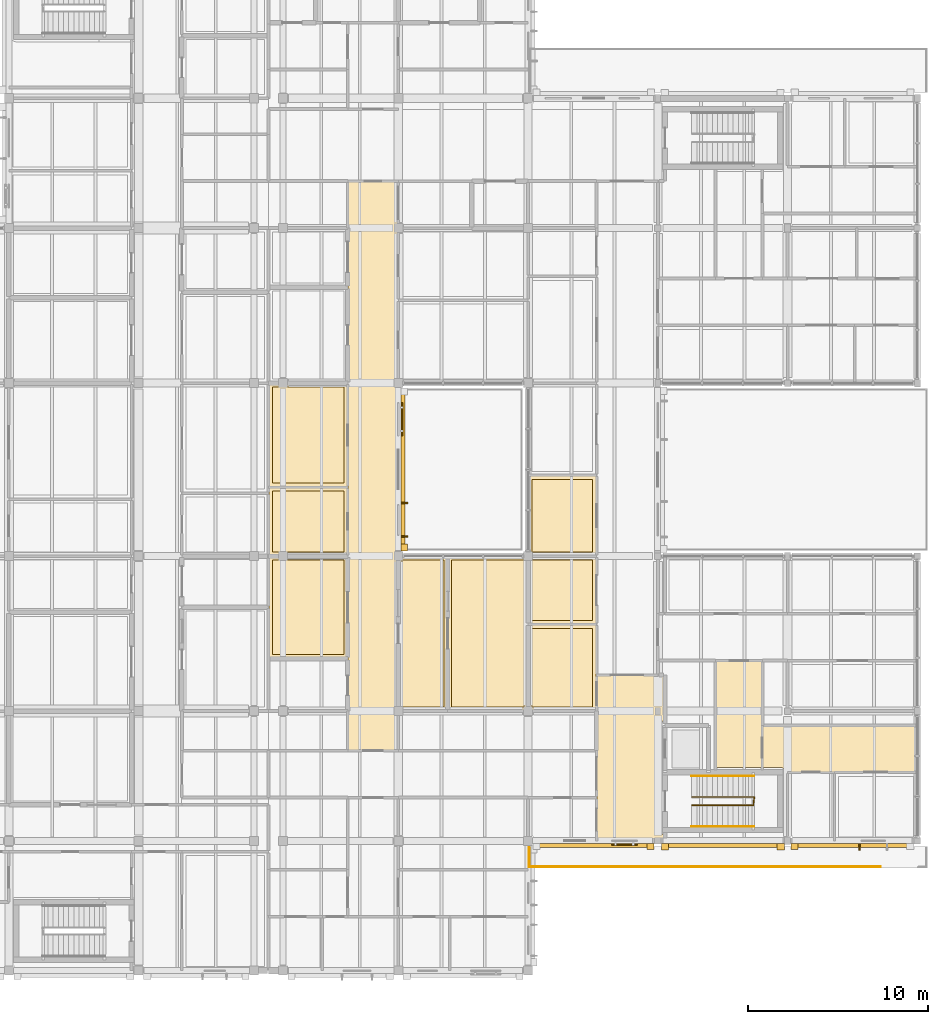
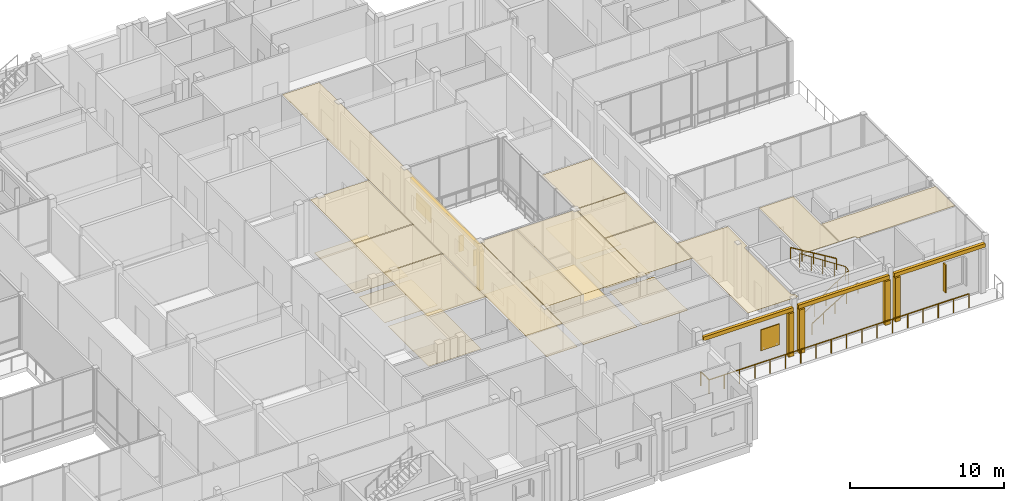
# One storey, part 143 of 146: 29 coverings, 5 shading devices, 4 railings.
"""IFC4 building model written with IfcOpenShell, lengths in metres."""

from ifc_helpers import new_model, si_unit, direction, frame, origin, origin_2d, place, context, subcontext, project, spatial, polyline, rectangle, circle, outline, extrude, material, layer, layer_set, type_object, element, save


model = new_model("IFC4")

# Units and contexts
model_context = context("Model", 3, precision=1e-05, world=origin(), true_north=direction((0.0, 1.0)))
body_context = subcontext(model_context, "Body", "Model", "MODEL_VIEW")
ifc_project = project(units=[si_unit("LENGTHUNIT", "METRE"), si_unit("AREAUNIT", "SQUARE_METRE"), si_unit("VOLUMEUNIT", "CUBIC_METRE"), si_unit("PLANEANGLEUNIT", "RADIAN"), si_unit("MASSUNIT", "GRAM", prefix="KILO")], contexts=[model_context])

# Site, building, storey
site_placement = place(None, origin())
site = spatial("IfcSite", under=ifc_project, at=site_placement, CompositionType="ELEMENT")
building_placement = place(site_placement, origin())
building = spatial("IfcBuilding", under=site, at=building_placement, Name="Hawrajan Terrace Health Centre", CompositionType="ELEMENT")
storey_placement = place(building_placement, frame((0.0, 0.0, 4.5)))
storey = spatial("IfcBuildingStorey", under=building, at=storey_placement, Name="L01", CompositionType="ELEMENT", Elevation=4.5)

# Coverings
ifc_material_1 = material(Name="Precast concrete C40/50", Category="concrete")
ifc_layer_1 = layer(ifc_material_1, 0.219970703125)
ifc_layer_set_1 = layer_set([ifc_layer_1], Name="Precast concrete C40/50")
covering_type_1 = type_object("IfcCoveringType", Name="ArtDecoCorniceBand", PredefinedType="CLADDING", material=ifc_layer_set_1)
covering_1_placement = place(storey_placement, frame((136.8701171875, 32.0, 3.2099609375), z_axis=(0.0, 0.0, 1.0), x_axis=(0.0, 1.0, 0.0)))
element("IfcCovering", 1, at=covering_1_placement, inside=storey, type_object=covering_type_1, Name="Art Deco limestone cornice band CRN-L01-0091", PredefinedType="CLADDING", context=body_context, shape_type="SweptSolid", body=[
    extrude(rectangle(XDim=9.06005859375, YDim=0.219970703125, at=origin_2d()), origin(), (0.0, 0.0, 1.0), 0.300048828125),
])
covering_2_placement = place(storey_placement, frame((147.43505859375, 11.139892578125, 3.4501953125), z_axis=(0.0, 0.0, 1.0), x_axis=(1.0, 0.0, 0.0)))
element("IfcCovering", 2, at=covering_2_placement, inside=storey, type_object=covering_type_1, Name="Art Deco limestone cornice band CRN-L01-0097", PredefinedType="CLADDING", context=body_context, shape_type="SweptSolid", body=[
    extrude(rectangle(XDim=6.72998046875, YDim=0.219970703125, at=origin_2d()), origin(), (0.0, 0.0, 1.0), 0.300048828125),
])
for number, where, z_axis, x_axis, name in (
    (3, (154.610107421875, 11.1298828125, 3.48974609375), (0.0, 0.0, 1.0), (1.0, 0.0, 0.0), "Art Deco limestone cornice band CRN-L01-0100"),
    (4, (161.7900390625, 11.139892578125, 3.48974609375), (0.0, 0.0, 1.0), (1.0, 0.0, 0.0), "Art Deco limestone cornice band CRN-L01-0102"),
):
    element("IfcCovering", number, at=place(storey_placement, frame(where, z_axis=z_axis, x_axis=x_axis)), inside=storey, type_object=covering_type_1, Name=name, PredefinedType="CLADDING", context=body_context, shape_type="SweptSolid", body=[
        extrude(rectangle(XDim=6.820068359375, YDim=0.219970703125, at=origin_2d()), origin(), (0.0, 0.0, 1.0), 0.300048828125),
    ])
ifc_layer_2 = layer(ifc_material_1, 0.340087890625)
ifc_layer_set_2 = layer_set([ifc_layer_2], Name="Precast concrete C40/50")
covering_type_2 = type_object("IfcCoveringType", Name="ArtDecoStonePilaster", PredefinedType="CLADDING", material=ifc_layer_set_2)
covering_3_placement = place(storey_placement, frame((136.929931640625, 27.669921875, 0.0), z_axis=(0.0, 0.0, 1.0), x_axis=(0.0, 1.0, 0.0)))
element("IfcCovering", 5, at=covering_3_placement, inside=storey, type_object=covering_type_2, Name="Art Deco fluted limestone pilaster FPIL-L01-0160", PredefinedType="CLADDING", context=body_context, shape_type="SweptSolid", body=[
    extrude(rectangle(XDim=0.39990234375, YDim=0.340087890625, at=origin_2d()), origin(), (0.0, 0.0, 1.0), 3.199951171875),
])
covering_4_placement = place(storey_placement, frame((150.60009765625, 11.080078125, 0.0), z_axis=(0.0, 0.0, 1.0), x_axis=(1.0, 0.0, 0.0)))
element("IfcCovering", 6, at=covering_4_placement, inside=storey, type_object=covering_type_2, Name="Art Deco fluted limestone pilaster FPIL-L01-0173", PredefinedType="CLADDING", context=body_context, shape_type="SweptSolid", body=[
    extrude(rectangle(XDim=0.39990234375, YDim=0.340087890625, at=origin_2d()), origin(), (0.0, 0.0, 1.0), 3.43994140625),
])
for number, where, z_axis, x_axis, name in (
    (7, (151.39990234375, 11.070068359375, 0.0), (0.0, 0.0, 1.0), (1.0, 0.0, 0.0), "Art Deco fluted limestone pilaster FPIL-L01-0178"),
    (8, (157.820068359375, 11.070068359375, 0.0), (0.0, 0.0, 1.0), (1.0, 0.0, 0.0), "Art Deco fluted limestone pilaster FPIL-L01-0179"),
    (9, (158.580078125, 11.080078125, 0.0), (0.0, 0.0, 1.0), (1.0, 0.0, 0.0), "Art Deco fluted limestone pilaster FPIL-L01-0182"),
):
    element("IfcCovering", number, at=place(storey_placement, frame(where, z_axis=z_axis, x_axis=x_axis)), inside=storey, type_object=covering_type_2, Name=name, PredefinedType="CLADDING", context=body_context, shape_type="SweptSolid", body=[
        extrude(rectangle(XDim=0.39990234375, YDim=0.340087890625, at=origin_2d()), origin(), (0.0, 0.0, 1.0), 3.47998046875),
    ])
ifc_material_2 = material(Name="Hygienic mineral-fibre acoustic tile ceiling")
ifc_layer_3 = layer(ifc_material_2, 0.02490234375)
ifc_layer_set_3 = layer_set([ifc_layer_3], Name="Hygienic mineral-fibre acoustic tile ceiling")
covering_type_3 = type_object("IfcCoveringType", Name="ClinicalAcousticCeiling_25", PredefinedType="CEILING", material=ifc_layer_set_3)
covering_5_placement = place(storey_placement, frame((0.0, 0.0, 4.155029296875)))
element("IfcCovering", 10, at=covering_5_placement, inside=storey, type_object=covering_type_3, Name="Suspended ceiling L01-025", PredefinedType="CEILING", context=body_context, shape_type="SweptSolid", body=[
    extrude(outline(polyline([(151.3798828125, 11.419921875), (147.6201171875, 11.419921875), (147.6201171875, 20.580078125), (151.3798828125, 20.580078125), (151.3798828125, 18.069091796875), (151.37451171875, 18.06884765625), (151.37255859375, 18.068603515625), (151.348388671875, 18.06494140625), (151.346435546875, 18.064697265625), (151.322509765625, 18.05859375), (151.32080078125, 18.05810546875), (151.297607421875, 18.0498046875), (151.2958984375, 18.049072265625), (151.273681640625, 18.03857421875), (151.27197265625, 18.03759765625), (151.250732421875, 18.02490234375), (151.249267578125, 18.02392578125), (151.2294921875, 18.00927734375), (151.22802734375, 18.008056640625), (151.209716796875, 17.99169921875), (151.20849609375, 17.990234375), (151.19189453125, 17.971923828125), (151.190673828125, 17.970458984375), (151.176025390625, 17.95068359375), (151.175048828125, 17.94921875), (151.162353515625, 17.927978515625), (151.161376953125, 17.926513671875), (151.15087890625, 17.904296875), (151.150146484375, 17.90234375), (151.141845703125, 17.87939453125), (151.141357421875, 17.87744140625), (151.135498046875, 17.853515625), (151.135009765625, 17.851806640625), (151.13134765625, 17.827392578125), (151.131103515625, 17.825439453125), (151.1298828125, 17.801025390625), (151.1298828125, 17.800048828125), (151.1298828125, 12.0), (151.1298828125, 11.9990234375), (151.131103515625, 11.974609375), (151.13134765625, 11.97265625), (151.135009765625, 11.9482421875), (151.135498046875, 11.9462890625), (151.141357421875, 11.922607421875), (151.141845703125, 11.920654296875), (151.150146484375, 11.897705078125), (151.15087890625, 11.895751953125), (151.161376953125, 11.87353515625), (151.162353515625, 11.871826171875), (151.175048828125, 11.850830078125), (151.176025390625, 11.84912109375), (151.190673828125, 11.82958984375), (151.19189453125, 11.827880859375), (151.20849609375, 11.809814453125), (151.209716796875, 11.808349609375), (151.22802734375, 11.7919921875), (151.2294921875, 11.790771484375), (151.249267578125, 11.776123046875), (151.250732421875, 11.77490234375), (151.27197265625, 11.762451171875), (151.273681640625, 11.761474609375), (151.2958984375, 11.7509765625), (151.297607421875, 11.750244140625), (151.32080078125, 11.741943359375), (151.322509765625, 11.741455078125), (151.346435546875, 11.7353515625), (151.348388671875, 11.735107421875), (151.37255859375, 11.7314453125), (151.37451171875, 11.731201171875), (151.3798828125, 11.73095703125), (151.3798828125, 11.419921875)])), origin(), (0.0, 0.0, 1.0), 0.02490234375),
])
covering_6_placement = place(storey_placement, frame((0.0, 0.0, 4.155029296875)))
element("IfcCovering", 11, at=covering_6_placement, inside=storey, type_object=covering_type_3, Name="Suspended ceiling L01-042", PredefinedType="CEILING", context=body_context, shape_type="SweptSolid", body=[
    extrude(outline(polyline([(154.219970703125, 21.3798828125), (156.780029296875, 21.3798828125), (156.780029296875, 15.469970703125), (154.219970703125, 15.469970703125), (154.219970703125, 21.3798828125)])), origin(), (0.0, 0.0, 1.0), 0.02490234375),
])
covering_7_placement = place(storey_placement, frame((0.0, 0.0, 4.155029296875)))
element("IfcCovering", 12, at=covering_7_placement, inside=storey, type_object=covering_type_3, Name="Suspended ceiling L01-043", PredefinedType="CEILING", context=body_context, shape_type="SweptSolid", body=[
    extrude(outline(polyline([(156.820068359375, 17.780029296875), (165.3798828125, 17.780029296875), (165.3798828125, 15.219970703125), (158.069091796875, 15.219970703125), (158.06884765625, 15.2255859375), (158.068603515625, 15.227294921875), (158.06494140625, 15.251708984375), (158.064697265625, 15.253662109375), (158.05859375, 15.27734375), (158.05810546875, 15.279296875), (158.0498046875, 15.302490234375), (158.049072265625, 15.30419921875), (158.03857421875, 15.326416015625), (158.03759765625, 15.328125), (158.02490234375, 15.34912109375), (158.02392578125, 15.350830078125), (158.00927734375, 15.37060546875), (158.008056640625, 15.3720703125), (157.99169921875, 15.39013671875), (157.990234375, 15.3916015625), (157.971923828125, 15.408203125), (157.970458984375, 15.4091796875), (157.95068359375, 15.423828125), (157.94921875, 15.425048828125), (157.927978515625, 15.4375), (157.926513671875, 15.438720703125), (157.904296875, 15.448974609375), (157.90234375, 15.44970703125), (157.87939453125, 15.4580078125), (157.87744140625, 15.45849609375), (157.853515625, 15.464599609375), (157.851806640625, 15.465087890625), (157.827392578125, 15.468505859375), (157.825439453125, 15.46875), (157.801025390625, 15.469970703125), (157.800048828125, 15.469970703125), (156.820068359375, 15.469970703125), (156.820068359375, 17.780029296875)])), origin(), (0.0, 0.0, 1.0), 0.02490234375),
])
covering_8_placement = place(storey_placement, frame((0.0, 0.0, 4.155029296875)))
element("IfcCovering", 13, at=covering_8_placement, inside=storey, type_object=covering_type_3, Name="Suspended ceiling L01-050", PredefinedType="CEILING", context=body_context, shape_type="SweptSolid", body=[
    extrude(outline(polyline([(133.820068359375, 47.97998046875), (136.580078125, 47.97998046875), (136.580078125, 16.419921875), (133.820068359375, 16.419921875), (133.820068359375, 47.97998046875)])), origin(), (0.0, 0.0, 1.0), 0.02490234375),
])
covering_9_placement = place(storey_placement, frame((0.0, 0.0, 4.155029296875)))
element("IfcCovering", 14, at=covering_9_placement, inside=storey, type_object=covering_type_3, Name="Suspended ceiling L01-162", PredefinedType="CEILING", context=body_context, shape_type="SweptSolid", body=[
    extrude(outline(polyline([(129.425048828125, 27.179931640625), (133.780029296875, 27.179931640625), (133.780029296875, 21.52685546875), (129.425048828125, 21.52685546875), (129.425048828125, 27.179931640625)])), origin(), (0.0, 0.0, 1.0), 0.02490234375),
])
covering_10_placement = place(storey_placement, frame((0.0, 0.0, 4.155029296875)))
element("IfcCovering", 15, at=covering_10_placement, inside=storey, type_object=covering_type_3, Name="Suspended ceiling L01-163", PredefinedType="CEILING", context=body_context, shape_type="SweptSolid", body=[
    extrude(outline(polyline([(129.425048828125, 31.000732421875), (133.780029296875, 31.000732421875), (133.780029296875, 27.219970703125), (129.425048828125, 27.219970703125), (129.425048828125, 31.000732421875)])), origin(), (0.0, 0.0, 1.0), 0.02490234375),
])
covering_11_placement = place(storey_placement, frame((0.0, 0.0, 4.155029296875)))
element("IfcCovering", 16, at=covering_11_placement, inside=storey, type_object=covering_type_3, Name="Suspended ceiling L01-164", PredefinedType="CEILING", context=body_context, shape_type="SweptSolid", body=[
    extrude(outline(polyline([(129.425048828125, 36.780029296875), (133.780029296875, 36.780029296875), (133.780029296875, 31.040771484375), (129.425048828125, 31.040771484375), (129.425048828125, 36.780029296875)])), origin(), (0.0, 0.0, 1.0), 0.02490234375),
])
covering_12_placement = place(storey_placement, frame((0.0, 0.0, 4.155029296875)))
element("IfcCovering", 17, at=covering_12_placement, inside=storey, type_object=covering_type_3, Name="Suspended ceiling L01-171", PredefinedType="CEILING", context=body_context, shape_type="SweptSolid", body=[
    extrude(outline(polyline([(136.6201171875, 27.179931640625), (139.3232421875, 27.179931640625), (139.3232421875, 18.6201171875), (136.6201171875, 18.6201171875), (136.6201171875, 27.179931640625)])), origin(), (0.0, 0.0, 1.0), 0.02490234375),
])
covering_13_placement = place(storey_placement, frame((0.0, 0.0, 4.155029296875)))
element("IfcCovering", 18, at=covering_13_placement, inside=storey, type_object=covering_type_3, Name="Suspended ceiling L01-172", PredefinedType="CEILING", context=body_context, shape_type="SweptSolid", body=[
    extrude(outline(polyline([(139.36328125, 27.179931640625), (143.780029296875, 27.179931640625), (143.780029296875, 18.6201171875), (139.36328125, 18.6201171875), (139.36328125, 27.179931640625)])), origin(), (0.0, 0.0, 1.0), 0.02490234375),
])
covering_14_placement = place(storey_placement, frame((0.0, 0.0, 4.155029296875)))
element("IfcCovering", 19, at=covering_14_placement, inside=storey, type_object=covering_type_3, Name="Suspended ceiling L01-179", PredefinedType="CEILING", context=body_context, shape_type="SweptSolid", body=[
    extrude(outline(polyline([(143.820068359375, 23.387451171875), (147.580078125, 23.387451171875), (147.580078125, 18.6201171875), (143.820068359375, 18.6201171875), (143.820068359375, 23.387451171875)])), origin(), (0.0, 0.0, 1.0), 0.02490234375),
])
covering_15_placement = place(storey_placement, frame((0.0, 0.0, 4.155029296875)))
element("IfcCovering", 20, at=covering_15_placement, inside=storey, type_object=covering_type_3, Name="Suspended ceiling L01-180", PredefinedType="CEILING", context=body_context, shape_type="SweptSolid", body=[
    extrude(outline(polyline([(143.820068359375, 27.179931640625), (147.580078125, 27.179931640625), (147.580078125, 23.427490234375), (143.820068359375, 23.427490234375), (143.820068359375, 27.179931640625)])), origin(), (0.0, 0.0, 1.0), 0.02490234375),
])
covering_16_placement = place(storey_placement, frame((0.0, 0.0, 4.155029296875)))
element("IfcCovering", 21, at=covering_16_placement, inside=storey, type_object=covering_type_3, Name="Suspended ceiling L01-181", PredefinedType="CEILING", context=body_context, shape_type="SweptSolid", body=[
    extrude(outline(polyline([(143.820068359375, 31.653564453125), (147.580078125, 31.653564453125), (147.580078125, 27.219970703125), (143.820068359375, 27.219970703125), (143.820068359375, 31.653564453125)])), origin(), (0.0, 0.0, 1.0), 0.02490234375),
])
ifc_material_3 = material(Name="Seamless medical-grade cushioned vinyl flooring")
ifc_layer_4 = layer(ifc_material_3, 0.011962890625)
ifc_layer_set_4 = layer_set([ifc_layer_4], Name="Seamless medical-grade cushioned vinyl flooring")
covering_type_4 = type_object("IfcCoveringType", Name="ClinicalVinylFlooring_12", PredefinedType="FLOORING", material=ifc_layer_set_4)
covering_17_placement = place(storey_placement, origin())
element("IfcCovering", 22, at=covering_17_placement, inside=storey, type_object=covering_type_4, Name="Floor finish L01-162", PredefinedType="FLOORING", context=body_context, shape_type="SweptSolid", body=[
    extrude(outline(polyline([(129.625, 26.97998046875), (133.580078125, 26.97998046875), (133.580078125, 21.726806640625), (129.625, 21.726806640625), (129.625, 26.97998046875)])), origin(), (0.0, 0.0, 1.0), 0.011962890625),
])
covering_18_placement = place(storey_placement, origin())
element("IfcCovering", 23, at=covering_18_placement, inside=storey, type_object=covering_type_4, Name="Floor finish L01-163", PredefinedType="FLOORING", context=body_context, shape_type="SweptSolid", body=[
    extrude(outline(polyline([(129.625, 30.80078125), (133.580078125, 30.80078125), (133.580078125, 27.419921875), (129.625, 27.419921875), (129.625, 30.80078125)])), origin(), (0.0, 0.0, 1.0), 0.011962890625),
])
covering_19_placement = place(storey_placement, origin())
element("IfcCovering", 24, at=covering_19_placement, inside=storey, type_object=covering_type_4, Name="Floor finish L01-164", PredefinedType="FLOORING", context=body_context, shape_type="SweptSolid", body=[
    extrude(outline(polyline([(129.625, 36.580078125), (133.580078125, 36.580078125), (133.580078125, 31.24072265625), (129.625, 31.24072265625), (129.625, 36.580078125)])), origin(), (0.0, 0.0, 1.0), 0.011962890625),
])
covering_20_placement = place(storey_placement, origin())
element("IfcCovering", 25, at=covering_20_placement, inside=storey, type_object=covering_type_4, Name="Floor finish L01-171", PredefinedType="FLOORING", context=body_context, shape_type="SweptSolid", body=[
    extrude(outline(polyline([(136.820068359375, 26.97998046875), (139.123291015625, 26.97998046875), (139.123291015625, 18.820068359375), (136.820068359375, 18.820068359375), (136.820068359375, 26.97998046875)])), origin(), (0.0, 0.0, 1.0), 0.011962890625),
])
covering_21_placement = place(storey_placement, origin())
element("IfcCovering", 26, at=covering_21_placement, inside=storey, type_object=covering_type_4, Name="Floor finish L01-172", PredefinedType="FLOORING", context=body_context, shape_type="SweptSolid", body=[
    extrude(outline(polyline([(139.563232421875, 26.97998046875), (143.580078125, 26.97998046875), (143.580078125, 18.820068359375), (139.563232421875, 18.820068359375), (139.563232421875, 26.97998046875)])), origin(), (0.0, 0.0, 1.0), 0.011962890625),
])
covering_22_placement = place(storey_placement, origin())
element("IfcCovering", 27, at=covering_22_placement, inside=storey, type_object=covering_type_4, Name="Floor finish L01-179", PredefinedType="FLOORING", context=body_context, shape_type="SweptSolid", body=[
    extrude(outline(polyline([(144.02001953125, 23.1875), (147.3798828125, 23.1875), (147.3798828125, 18.820068359375), (144.02001953125, 18.820068359375), (144.02001953125, 23.1875)])), origin(), (0.0, 0.0, 1.0), 0.011962890625),
])
covering_23_placement = place(storey_placement, origin())
element("IfcCovering", 28, at=covering_23_placement, inside=storey, type_object=covering_type_4, Name="Floor finish L01-180", PredefinedType="FLOORING", context=body_context, shape_type="SweptSolid", body=[
    extrude(outline(polyline([(144.02001953125, 26.97998046875), (147.3798828125, 26.97998046875), (147.3798828125, 23.62744140625), (144.02001953125, 23.62744140625), (144.02001953125, 26.97998046875)])), origin(), (0.0, 0.0, 1.0), 0.011962890625),
])
covering_24_placement = place(storey_placement, origin())
element("IfcCovering", 29, at=covering_24_placement, inside=storey, type_object=covering_type_4, Name="Floor finish L01-181", PredefinedType="FLOORING", context=body_context, shape_type="SweptSolid", body=[
    extrude(outline(polyline([(144.02001953125, 31.45361328125), (147.3798828125, 31.45361328125), (147.3798828125, 27.419921875), (144.02001953125, 27.419921875), (144.02001953125, 31.45361328125)])), origin(), (0.0, 0.0, 1.0), 0.011962890625),
])

# Shading devices
ifc_material_4 = material(Name="Anodized bronze mashrabiya vertical solar fin")
ifc_layer_5 = layer(ifc_material_4, 0.080078125)
ifc_layer_set_5 = layer_set([ifc_layer_5], Name="Anodized bronze mashrabiya vertical solar fin")
shading_device_type_1 = type_object("IfcShadingDeviceType", Name="MashrabiyaVerticalFin", PredefinedType="USERDEFINED", material=ifc_layer_set_5)
for number, where, z_axis, x_axis, name in (
    (30, (136.93994140625, 28.27490234375, 1.5), (0.0, 0.0, 1.0), (0.0, 1.0, 0.0), "Bronze mashrabiya solar fin FIN-L01-0108"),
    (31, (136.93994140625, 30.135009765625, 1.5), (0.0, 0.0, 1.0), (0.0, 1.0, 0.0), "Bronze mashrabiya solar fin FIN-L01-0109"),
):
    element("IfcShadingDevice", number, at=place(storey_placement, frame(where, z_axis=z_axis, x_axis=x_axis)), inside=storey, type_object=shading_device_type_1, Name=name, ObjectType="SOLAR_FIN", PredefinedType="USERDEFINED", context=body_context, shape_type="SweptSolid", body=[
        extrude(rectangle(XDim=0.080078125, YDim=0.360107421875, at=origin_2d()), origin(), (0.0, 0.0, 1.0), 1.25),
    ])
shading_device_1_placement = place(storey_placement, frame((162.18505859375, 11.070068359375, 1.0), z_axis=(0.0, 0.0, 1.0), x_axis=(1.0, 0.0, 0.0)))
element("IfcShadingDevice", 32, at=shading_device_1_placement, inside=storey, type_object=shading_device_type_1, Name="Bronze mashrabiya solar fin FIN-L01-0125", ObjectType="SOLAR_FIN", PredefinedType="USERDEFINED", context=body_context, shape_type="SweptSolid", body=[
    extrude(rectangle(XDim=0.080078125, YDim=0.360107421875, at=origin_2d()), origin(), (0.0, 0.0, 1.0), 2.199951171875),
])
ifc_material_5 = material(Name="Anodized bronze and cedar roshan lattice")
ifc_layer_6 = layer(ifc_material_5, 0.080078125)
ifc_layer_set_6 = layer_set([ifc_layer_6], Name="Anodized bronze and cedar roshan lattice")
shading_device_type_2 = type_object("IfcShadingDeviceType", Name="RoshanScreen_BronzeCedar", PredefinedType="JALOUSIE", material=ifc_layer_set_6)
shading_device_2_placement = place(storey_placement, frame((136.804931640625, 34.794921875, 1.5), z_axis=(0.0, 0.0, 1.0), x_axis=(0.0, 1.0, 0.0)))
element("IfcShadingDevice", 33, at=shading_device_2_placement, inside=storey, type_object=shading_device_type_2, Name="Hijazi roshan solar screen RSH-L01-110", PredefinedType="JALOUSIE", context=body_context, shape_type="SweptSolid", body=[
    extrude(rectangle(XDim=1.85009765625, YDim=0.080078125, at=origin_2d()), origin(), (0.0, 0.0, 1.0), 1.25),
])
shading_device_3_placement = place(storey_placement, frame((149.14990234375, 11.205078125, 1.050048828125), z_axis=(0.0, 0.0, 1.0), x_axis=(1.0, 0.0, 0.0)))
element("IfcShadingDevice", 34, at=shading_device_3_placement, inside=storey, type_object=shading_device_type_2, Name="Hijazi roshan solar screen RSH-L01-120", PredefinedType="JALOUSIE", context=body_context, shape_type="SweptSolid", body=[
    extrude(rectangle(XDim=1.39990234375, YDim=0.080078125, at=origin_2d()), origin(), (0.0, 0.0, 1.0), 1.64990234375),
])

# Railings
ifc_material_6 = material(Name="Brushed stainless steel tubular handrail", Category="steel")
railing_type_1 = type_object("IfcRailingType", Name="StairHandrail_900", PredefinedType="HANDRAIL", material=ifc_material_6)
railing_1_placement = place(storey_placement, frame((152.875, 12.199951171875, 0.173095703125)))
element("IfcRailing", 35, at=railing_1_placement, inside=storey, type_object=railing_type_1, Name="Stair handrail ST-8-L01-H1", PredefinedType="HANDRAIL", context=body_context, shape_type="SweptSolid", body=[
    extrude(circle(Radius=0.02392578125, at=origin_2d()), frame((0.024658203125, 0.0, 0.890625), z_axis=(0.856732359591, 0.0, 0.515761247119), x_axis=(0.0, 1.0, 0.0)), (0.0, 0.0, 1.0), 3.96923828125),
    extrude(circle(Radius=0.02099609375, at=origin_2d()), origin(), (0.0, 0.0, 1.0), 0.846923828125),
    extrude(circle(Radius=0.02099609375, at=origin_2d()), frame((0.862548828125, 0.0, 0.519287109375)), (0.0, 0.0, 1.0), 0.846923828125),
    extrude(circle(Radius=0.02099609375, at=origin_2d()), frame((1.72509765625, 0.0, 1.03857421875)), (0.0, 0.0, 1.0), 0.846923828125),
    extrude(circle(Radius=0.02099609375, at=origin_2d()), frame((2.58740234375, 0.0, 1.5576171875)), (0.0, 0.0, 1.0), 0.846923828125),
    extrude(circle(Radius=0.02099609375, at=origin_2d()), frame((3.449951171875, 0.0, 2.076904296875)), (0.0, 0.0, 1.0), 0.846923828125),
])
railing_2_placement = place(storey_placement, frame((156.324951171875, 15.0, 2.423095703125)))
element("IfcRailing", 36, at=railing_2_placement, inside=storey, type_object=railing_type_1, Name="Stair handrail ST-8-L01-H2", PredefinedType="HANDRAIL", context=body_context, shape_type="SweptSolid", body=[
    extrude(circle(Radius=0.02392578125, at=origin_2d()), frame((-0.024658203125, 0.0, 0.890625), z_axis=(-0.856732359591, 0.0, 0.515761247119), x_axis=(0.0, -1.0, 0.0)), (0.0, 0.0, 1.0), 3.96923828125),
    extrude(circle(Radius=0.02099609375, at=origin_2d()), origin(), (0.0, 0.0, 1.0), 0.846923828125),
    extrude(circle(Radius=0.02099609375, at=origin_2d()), frame((-0.862548828125, 0.0, 0.519287109375)), (0.0, 0.0, 1.0), 0.846923828125),
    extrude(circle(Radius=0.02099609375, at=origin_2d()), frame((-1.72509765625, 0.0, 1.03857421875)), (0.0, 0.0, 1.0), 0.846923828125),
    extrude(circle(Radius=0.02099609375, at=origin_2d()), frame((-2.58740234375, 0.0, 1.5576171875)), (0.0, 0.0, 1.0), 0.846923828125),
    extrude(circle(Radius=0.02099609375, at=origin_2d()), frame((-3.449951171875, 0.0, 2.076904296875)), (0.0, 0.0, 1.0), 0.846923828125),
])
ifc_material_7 = material(Name="Painted steel stair well guard", Category="steel")
railing_type_2 = type_object("IfcRailingType", Name="StairWellGuard_1120", PredefinedType="GUARDRAIL", material=ifc_material_7)
railing_3_placement = place(storey_placement, frame((152.89990234375, 13.3701171875, 0.0)))
element("IfcRailing", 37, at=railing_3_placement, inside=storey, type_object=railing_type_2, Name="Stair well guard ST-8-L01-G1", PredefinedType="GUARDRAIL", context=body_context, shape_type="SweptSolid", body=[
    extrude(circle(Radius=0.02392578125, at=origin_2d()), frame((0.024169921875, 0.0, 1.112060546875), z_axis=(0.833943147616, 0.0, 0.551850366082), x_axis=(0.0, 1.0, 0.0)), (0.0, 0.0, 1.0), 4.01953125),
    extrude(circle(Radius=0.02392578125, at=origin_2d()), frame((3.4033203125, 0.02880859375, 3.34619140625), z_axis=(0.108172551692, 0.994132133602, 0.0), x_axis=(-0.994132133602, 0.108172551692, 0.0)), (0.0, 0.0, 1.0), 0.405029296875),
    extrude(circle(Radius=0.02392578125, at=origin_2d()), frame((3.426025390625, 0.4599609375, 3.36181640625), z_axis=(-0.837624746251, 0.0, 0.546246084167), x_axis=(0.0, -1.0, 0.0)), (0.0, 0.0, 1.0), 4.061279296875),
    extrude(circle(Radius=0.02099609375, at=origin_2d()), origin(), (0.0, 0.0, 1.0), 1.067138671875),
    extrude(circle(Radius=0.02099609375, at=origin_2d()), frame((0.85009765625, 0.0, 0.5625)), (0.0, 0.0, 1.0), 1.067138671875),
    extrude(circle(Radius=0.02099609375, at=origin_2d()), frame((1.7001953125, 0.0, 1.125)), (0.0, 0.0, 1.0), 1.067138671875),
    extrude(circle(Radius=0.02099609375, at=origin_2d()), frame((2.550048828125, 0.0, 1.6875)), (0.0, 0.0, 1.0), 1.067138671875),
    extrude(circle(Radius=0.02099609375, at=origin_2d()), frame((3.400146484375, 0.0, 2.25)), (0.0, 0.0, 1.0), 1.067138671875),
    extrude(circle(Radius=0.02099609375, at=origin_2d()), frame((3.4501953125, 0.4599609375, 2.25)), (0.0, 0.0, 1.0), 1.067138671875),
    extrude(circle(Radius=0.02099609375, at=origin_2d()), frame((2.587646484375, 0.4599609375, 2.8125)), (0.0, 0.0, 1.0), 1.067138671875),
    extrude(circle(Radius=0.02099609375, at=origin_2d()), frame((1.72509765625, 0.4599609375, 3.375)), (0.0, 0.0, 1.0), 1.067138671875),
    extrude(circle(Radius=0.02099609375, at=origin_2d()), frame((0.862548828125, 0.4599609375, 3.9375)), (0.0, 0.0, 1.0), 1.067138671875),
    extrude(circle(Radius=0.02099609375, at=origin_2d()), frame((0.0, 0.4599609375, 4.5)), (0.0, 0.0, 1.0), 1.067138671875),
])
ifc_material_8 = material(Name="Anodized bronze post and balustrade guard")
railing_type_3 = type_object("IfcRailingType", Name="TerraceGuard_1120", PredefinedType="GUARDRAIL", material=ifc_material_8)
railing_4_placement = place(storey_placement, frame((143.860107421875, 11.030029296875, 0.0)))
element("IfcRailing", 38, at=railing_4_placement, inside=storey, type_object=railing_type_3, Name="Terrace apron guard GR-AP-ES-W", PredefinedType="GUARDRAIL", context=body_context, shape_type="SweptSolid", body=[
    extrude(circle(Radius=0.02392578125, at=origin_2d()), frame((0.0, -0.02880859375, 1.09619140625), z_axis=(0.0, -1.0, 0.0), x_axis=(1.0, 0.0, 0.0)), (0.0, 0.0, 1.0), 1.012451171875),
    extrude(circle(Radius=0.02392578125, at=origin_2d()), frame((0.02880859375, -1.070068359375, 1.09619140625), z_axis=(1.0, 0.0, 0.0), x_axis=(0.0, 1.0, 0.0)), (0.0, 0.0, 1.0), 19.432373046875),
    extrude(circle(Radius=0.02099609375, at=origin_2d()), origin(), (0.0, 0.0, 1.0), 1.067138671875),
    extrude(circle(Radius=0.02099609375, at=origin_2d()), frame((0.0, -1.070068359375, 0.0)), (0.0, 0.0, 1.0), 1.067138671875),
    extrude(circle(Radius=0.02099609375, at=origin_2d()), frame((1.146484375, -1.070068359375, 0.0)), (0.0, 0.0, 1.0), 1.067138671875),
    extrude(circle(Radius=0.02099609375, at=origin_2d()), frame((2.29296875, -1.070068359375, 0.0)), (0.0, 0.0, 1.0), 1.067138671875),
    extrude(circle(Radius=0.02099609375, at=origin_2d()), frame((3.439453125, -1.070068359375, 0.0)), (0.0, 0.0, 1.0), 1.067138671875),
    extrude(circle(Radius=0.02099609375, at=origin_2d()), frame((4.5859375, -1.070068359375, 0.0)), (0.0, 0.0, 1.0), 1.067138671875),
    extrude(circle(Radius=0.02099609375, at=origin_2d()), frame((5.732421875, -1.070068359375, 0.0)), (0.0, 0.0, 1.0), 1.067138671875),
    extrude(circle(Radius=0.02099609375, at=origin_2d()), frame((6.87890625, -1.070068359375, 0.0)), (0.0, 0.0, 1.0), 1.067138671875),
    extrude(circle(Radius=0.02099609375, at=origin_2d()), frame((8.025390625, -1.070068359375, 0.0)), (0.0, 0.0, 1.0), 1.067138671875),
    extrude(circle(Radius=0.02099609375, at=origin_2d()), frame((9.171875, -1.070068359375, 0.0)), (0.0, 0.0, 1.0), 1.067138671875),
    extrude(circle(Radius=0.02099609375, at=origin_2d()), frame((10.318115234375, -1.070068359375, 0.0)), (0.0, 0.0, 1.0), 1.067138671875),
    extrude(circle(Radius=0.02099609375, at=origin_2d()), frame((11.464599609375, -1.070068359375, 0.0)), (0.0, 0.0, 1.0), 1.067138671875),
    extrude(circle(Radius=0.02099609375, at=origin_2d()), frame((12.611083984375, -1.070068359375, 0.0)), (0.0, 0.0, 1.0), 1.067138671875),
    extrude(circle(Radius=0.02099609375, at=origin_2d()), frame((13.757568359375, -1.070068359375, 0.0)), (0.0, 0.0, 1.0), 1.067138671875),
    extrude(circle(Radius=0.02099609375, at=origin_2d()), frame((14.904052734375, -1.070068359375, 0.0)), (0.0, 0.0, 1.0), 1.067138671875),
    extrude(circle(Radius=0.02099609375, at=origin_2d()), frame((16.050537109375, -1.070068359375, 0.0)), (0.0, 0.0, 1.0), 1.067138671875),
    extrude(circle(Radius=0.02099609375, at=origin_2d()), frame((17.197021484375, -1.070068359375, 0.0)), (0.0, 0.0, 1.0), 1.067138671875),
    extrude(circle(Radius=0.02099609375, at=origin_2d()), frame((18.343505859375, -1.070068359375, 0.0)), (0.0, 0.0, 1.0), 1.067138671875),
    extrude(circle(Radius=0.02099609375, at=origin_2d()), frame((19.489990234375, -1.070068359375, 0.0)), (0.0, 0.0, 1.0), 1.067138671875),
])

save(model, "model.ifc")
